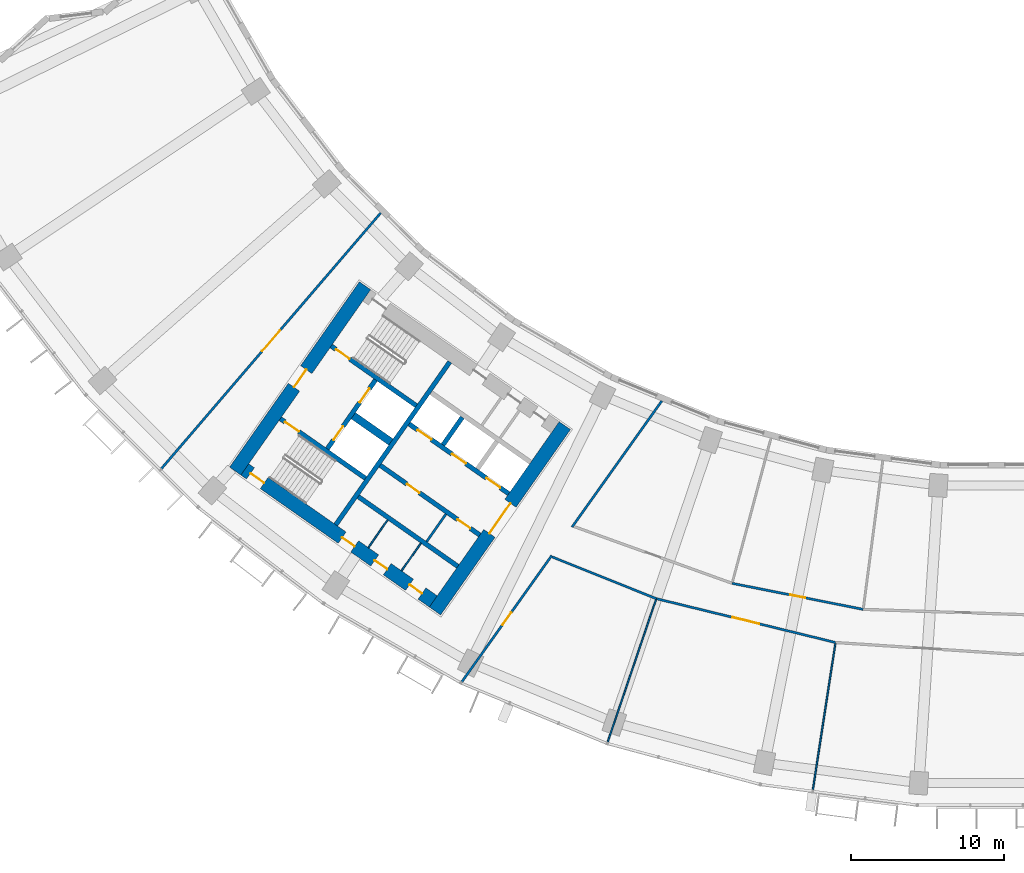
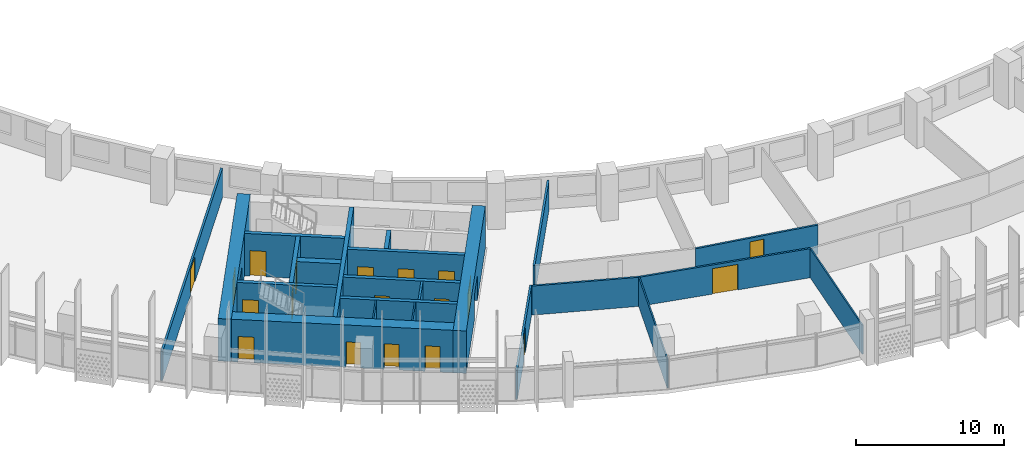
# One storey, part 3 of 30: 23 walls, 19 doors, 19 openings.
"""IFC4 building model written with IfcOpenShell, lengths in metres."""

from ifc_helpers import new_model, si_unit, direction, frame, frame_2d, origin, place, context, subcontext, project, spatial, rectangle, extrude, material, layer, layer_set, type_object, element, fill, save


model = new_model("IFC4")

# Units and contexts
model_context = context("Model", 3, precision=1e-05, world=origin(), true_north=direction((0.0, 1.0)))
body_context = subcontext(model_context, "Body", "Model", "MODEL_VIEW")
ifc_project = project(units=[si_unit("LENGTHUNIT", "METRE"), si_unit("AREAUNIT", "SQUARE_METRE"), si_unit("VOLUMEUNIT", "CUBIC_METRE"), si_unit("PLANEANGLEUNIT", "RADIAN"), si_unit("MASSUNIT", "GRAM", prefix="KILO")], contexts=[model_context])

# Site, building, storey
site_placement = place(None, origin())
site = spatial("IfcSite", under=ifc_project, at=site_placement, CompositionType="ELEMENT")
building_placement = place(site_placement, origin())
building = spatial("IfcBuilding", under=site, at=building_placement, Name="Qamariyya Broadcast Tower", CompositionType="ELEMENT")
storey_placement = place(building_placement, frame((0.0, 0.0, 102.5)))
storey = spatial("IfcBuildingStorey", under=building, at=storey_placement, Name="L22", CompositionType="ELEMENT", Elevation=102.5)

# Wall, opening, door
ifc_material_1 = material(Name="Concrete C70/85", Category="concrete")
ifc_layer_1 = layer(ifc_material_1, 0.89990234375)
ifc_layer_set_1 = layer_set([ifc_layer_1], Name="Core wall 900 mm Concrete C70/85")
wall_type_1 = type_object("IfcWallType", Name="Core wall 900 mm Concrete C70/85", PredefinedType="SHEAR", material=ifc_layer_set_1)
wall_1_placement = place(storey_placement, frame((-36.716796875, -66.3369140625, 0.0), z_axis=(0.0, 0.0, 1.0), x_axis=(0.573577477574, 0.819151315216, 0.0)))
wall_1 = element("IfcWall", 1, at=wall_1_placement, inside=storey, type_object=wall_type_1, Name="k-W-L22-WA", PredefinedType="SHEAR", context=body_context, shape_type="SweptSolid", body=[
    extrude(rectangle(XDim=14.800048828125, YDim=0.89990234375, at=frame_2d((7.39990234375, 0.0))), origin(), (0.0, 0.0, 1.0), 3.5),
])
opening_1_placement = place(wall_1_placement, frame((6.199951171875, 0.0, 0.0)))
opening_1 = element("IfcOpeningElement", 2, at=opening_1_placement, cuts=wall_1, Name="Opening KD3-W1", PredefinedType="OPENING", context=body_context, shape_type="SweptSolid", body=[
    extrude(rectangle(XDim=2.39990234375, YDim=2.10009765625, at=frame_2d((1.199951171875, 1.050048828125))), frame((0.0, 0.4599609375, 0.0), z_axis=(0.0, -1.0, 0.0), x_axis=(1.0, 0.0, 0.0)), (0.0, 0.0, 1.0), 0.919921875),
])
ifc_material_2 = material(Name="Steel fire-resisting door leaf", Category="steel")
door_type_1 = type_object("IfcDoorType", Name="Lift lobby door KD3", OperationType="DOUBLE_DOOR_SINGLE_SWING", PredefinedType="DOOR", material=ifc_material_2)
door_1_placement = place(opening_1_placement, origin())
door_1 = element("IfcDoor", 3, at=door_1_placement, inside=storey, type_object=door_type_1, Name="k-W-L22-WA-D1", OperationType="DOUBLE_DOOR_SINGLE_SWING", OverallHeight=2.10009765625, OverallWidth=2.39990234375, PredefinedType="DOOR", context=body_context, shape_type="SweptSolid", body=[
    extrude(rectangle(XDim=2.39990234375, YDim=2.10009765625, at=frame_2d((1.199951171875, 1.050048828125))), frame((0.0, 0.02490234375, 0.0), z_axis=(0.0, -1.0, 0.0), x_axis=(1.0, 0.0, 0.0)), (0.0, 0.0, 1.0), 0.050048828125),
])
fill(opening_1, door_1)

wall_2_placement = place(storey_placement, frame((-49.778564453125, -57.191162109375, 0.0), z_axis=(0.0, 0.0, 1.0), x_axis=(0.573577477574, 0.819151315216, 0.0)))
wall_2 = element("IfcWall", 4, at=wall_2_placement, inside=storey, type_object=wall_type_1, Name="k-W-L22-WH", PredefinedType="SHEAR", context=body_context, shape_type="SweptSolid", body=[
    extrude(rectangle(XDim=14.800048828125, YDim=0.89990234375, at=frame_2d((7.39990234375, 0.0))), origin(), (0.0, 0.0, 1.0), 3.5),
])
opening_2_placement = place(wall_2_placement, frame((6.699951171875, 0.0, 0.0)))
opening_2 = element("IfcOpeningElement", 5, at=opening_2_placement, cuts=wall_2, Name="Opening KD2-W1", PredefinedType="OPENING", context=body_context, shape_type="SweptSolid", body=[
    extrude(rectangle(XDim=1.39990234375, YDim=2.10009765625, at=frame_2d((0.699951171875, 1.050048828125))), frame((0.0, 0.4599609375, 0.0), z_axis=(0.0, -1.0, 0.0), x_axis=(1.0, 0.0, 0.0)), (0.0, 0.0, 1.0), 0.919921875),
])
door_type_2 = type_object("IfcDoorType", Name="Fire-fighting lobby door KD2", OperationType="DOUBLE_DOOR_SINGLE_SWING", PredefinedType="DOOR", material=ifc_material_2)
door_2_placement = place(opening_2_placement, origin())
door_2 = element("IfcDoor", 6, at=door_2_placement, inside=storey, type_object=door_type_2, Name="k-W-L22-WH-D15", OperationType="DOUBLE_DOOR_SINGLE_SWING", OverallHeight=2.10009765625, OverallWidth=1.39990234375, PredefinedType="DOOR", context=body_context, shape_type="SweptSolid", body=[
    extrude(rectangle(XDim=1.39990234375, YDim=2.10009765625, at=frame_2d((0.699951171875, 1.050048828125))), frame((0.0, 0.02490234375, 0.0), z_axis=(0.0, -1.0, 0.0), x_axis=(1.0, 0.0, 0.0)), (0.0, 0.0, 1.0), 0.050048828125),
])
fill(opening_2, door_2)

# Wall, openings, doors
wall_3_placement = place(storey_placement, frame((-36.827392578125, -65.710205078125, 0.0), z_axis=(0.0, 0.0, 1.0), x_axis=(-0.819153391756, 0.573574511963, 0.0)))
wall_3 = element("IfcWall", 7, at=wall_3_placement, inside=storey, type_object=wall_type_1, Name="k-W-L22-WO", PredefinedType="SHEAR", context=body_context, shape_type="SweptSolid", body=[
    extrude(rectangle(XDim=15.04541015625, YDim=0.89990234375, at=frame_2d((7.522705078125, 0.0))), origin(), (0.0, 0.0, 1.0), 3.5),
])
opening_3_placement = place(wall_3_placement, frame((0.89990234375, 0.0, 0.0)))
opening_3 = element("IfcOpeningElement", 8, at=opening_3_placement, cuts=wall_3, Name="Opening KD4-W2", PredefinedType="OPENING", context=body_context, shape_type="SweptSolid", body=[
    extrude(rectangle(XDim=1.0, YDim=2.10009765625, at=frame_2d((0.5, 1.050048828125))), frame((0.0, 0.4599609375, 0.0), z_axis=(0.0, -1.0, 0.0), x_axis=(1.0, 0.0, 0.0)), (0.0, 0.0, 1.0), 0.919921875),
])
opening_4_placement = place(wall_3_placement, frame((3.675048828125, 0.0, 0.0)))
opening_4 = element("IfcOpeningElement", 9, at=opening_4_placement, cuts=wall_3, Name="Opening KD4-W3", PredefinedType="OPENING", context=body_context, shape_type="SweptSolid", body=[
    extrude(rectangle(XDim=1.0, YDim=2.10009765625, at=frame_2d((0.5, 1.050048828125))), frame((0.0, 0.4599609375, 0.0), z_axis=(0.0, -1.0, 0.0), x_axis=(1.0, 0.0, 0.0)), (0.0, 0.0, 1.0), 0.919921875),
])
opening_5_placement = place(wall_3_placement, frame((6.27490234375, 0.0, 0.0)))
opening_5 = element("IfcOpeningElement", 10, at=opening_5_placement, cuts=wall_3, Name="Opening KD4-W4", PredefinedType="OPENING", context=body_context, shape_type="SweptSolid", body=[
    extrude(rectangle(XDim=1.0, YDim=2.10009765625, at=frame_2d((0.5, 1.050048828125))), frame((0.0, 0.4599609375, 0.0), z_axis=(0.0, -1.0, 0.0), x_axis=(1.0, 0.0, 0.0)), (0.0, 0.0, 1.0), 0.919921875),
])
opening_6_placement = place(wall_3_placement, frame((13.495361328125, 0.0, 0.0)))
opening_6 = element("IfcOpeningElement", 11, at=opening_6_placement, cuts=wall_3, Name="Opening KD1-W3", PredefinedType="OPENING", context=body_context, shape_type="SweptSolid", body=[
    extrude(rectangle(XDim=1.10009765625, YDim=2.10009765625, at=frame_2d((0.550048828125, 1.050048828125))), frame((0.0, 0.4599609375, 0.0), z_axis=(0.0, -1.0, 0.0), x_axis=(1.0, 0.0, 0.0)), (0.0, 0.0, 1.0), 0.919921875),
])
door_type_3 = type_object("IfcDoorType", Name="Riser and plant door KD4", OperationType="SINGLE_SWING_LEFT", PredefinedType="DOOR", material=ifc_material_2)
door_3_placement = place(opening_3_placement, origin())
door_3 = element("IfcDoor", 12, at=door_3_placement, inside=storey, type_object=door_type_3, Name="k-W-L22-WO-D10", OperationType="SINGLE_SWING_LEFT", OverallHeight=2.10009765625, OverallWidth=1.0, PredefinedType="DOOR", context=body_context, shape_type="SweptSolid", body=[
    extrude(rectangle(XDim=1.0, YDim=2.10009765625, at=frame_2d((0.5, 1.050048828125))), frame((0.0, 0.02490234375, 0.0), z_axis=(0.0, -1.0, 0.0), x_axis=(1.0, 0.0, 0.0)), (0.0, 0.0, 1.0), 0.050048828125),
])
fill(opening_3, door_3)
door_4_placement = place(opening_4_placement, origin())
door_4 = element("IfcDoor", 13, at=door_4_placement, inside=storey, type_object=door_type_3, Name="k-W-L22-WO-D11", OperationType="SINGLE_SWING_RIGHT", OverallHeight=2.10009765625, OverallWidth=1.0, PredefinedType="DOOR", context=body_context, shape_type="SweptSolid", body=[
    extrude(rectangle(XDim=1.0, YDim=2.10009765625, at=frame_2d((0.5, 1.050048828125))), frame((0.0, 0.02490234375, 0.0), z_axis=(0.0, -1.0, 0.0), x_axis=(1.0, 0.0, 0.0)), (0.0, 0.0, 1.0), 0.050048828125),
])
fill(opening_4, door_4)
door_5_placement = place(opening_5_placement, origin())
door_5 = element("IfcDoor", 14, at=door_5_placement, inside=storey, type_object=door_type_3, Name="k-W-L22-WO-D12", OperationType="SINGLE_SWING_LEFT", OverallHeight=2.10009765625, OverallWidth=1.0, PredefinedType="DOOR", context=body_context, shape_type="SweptSolid", body=[
    extrude(rectangle(XDim=1.0, YDim=2.10009765625, at=frame_2d((0.5, 1.050048828125))), frame((0.0, 0.02490234375, 0.0), z_axis=(0.0, -1.0, 0.0), x_axis=(1.0, 0.0, 0.0)), (0.0, 0.0, 1.0), 0.050048828125),
])
fill(opening_5, door_5)
door_type_4 = type_object("IfcDoorType", Name="Stair door KD1", OperationType="SINGLE_SWING_LEFT", PredefinedType="DOOR", material=ifc_material_2)
door_6_placement = place(opening_6_placement, origin())
door_6 = element("IfcDoor", 15, at=door_6_placement, inside=storey, type_object=door_type_4, Name="k-W-L22-WO-D18", OperationType="SINGLE_SWING_LEFT", OverallHeight=2.10009765625, OverallWidth=1.10009765625, PredefinedType="DOOR", context=body_context, shape_type="SweptSolid", body=[
    extrude(rectangle(XDim=1.10009765625, YDim=2.10009765625, at=frame_2d((0.550048828125, 1.050048828125))), frame((0.0, 0.02490234375, 0.0), z_axis=(0.0, -1.0, 0.0), x_axis=(1.0, 0.0, 0.0)), (0.0, 0.0, 1.0), 0.050048828125),
])
fill(opening_6, door_6)

# Wall, opening, door
ifc_material_3 = material(Name="Gypsum board partition")
ifc_layer_2 = layer(ifc_material_3, 0.14990234375)
ifc_layer_set_2 = layer_set([ifc_layer_2], Name="Corridor partition 150 EI 60")
wall_type_2 = type_object("IfcWallType", Name="Corridor partition 150 EI 60", PredefinedType="PARTITIONING", material=ifc_layer_set_2)
wall_4_placement = place(storey_placement, frame((-54.600830078125, -57.024169921875, 0.0), z_axis=(0.0, 0.0, 1.0), x_axis=(0.650987681244, 0.759088294514, 0.0)))
wall_4 = element("IfcWall", 16, at=wall_4_placement, inside=storey, type_object=wall_type_2, Name="Partition L22-001", PredefinedType="PARTITIONING", context=body_context, shape_type="SweptSolid", body=[
    extrude(rectangle(XDim=22.017822265625, YDim=0.14990234375, at=frame_2d((11.0087890625, 0.0))), origin(), (0.0, 0.0, 1.0), 2.39990234375),
])
opening_7_placement = place(wall_4_placement, frame((10.10888671875, 0.0, 0.0)))
opening_7 = element("IfcOpeningElement", 17, at=opening_7_placement, cuts=wall_4, Name="Opening L22-D11", PredefinedType="OPENING", context=body_context, shape_type="SweptSolid", body=[
    extrude(rectangle(XDim=1.800048828125, YDim=2.10009765625, at=frame_2d((0.89990234375, 1.050048828125))), frame((0.0, 0.0849609375, 0.0), z_axis=(0.0, -1.0, 0.0), x_axis=(1.0, 0.0, 0.0)), (0.0, 0.0, 1.0), 0.169921875),
])
ifc_material_4 = material(Name="Timber fire door leaf", Category="wood")
door_type_5 = type_object("IfcDoorType", Name="Double fire door 1800 x 2100 FD60", OperationType="NOTDEFINED", PredefinedType="DOOR", material=ifc_material_4)
door_7_placement = place(opening_7_placement, origin())
door_7 = element("IfcDoor", 18, at=door_7_placement, inside=storey, type_object=door_type_5, Name="Door L22-D11", OperationType="DOUBLE_DOOR_SINGLE_SWING", OverallHeight=2.10009765625, OverallWidth=1.800048828125, PredefinedType="DOOR", context=body_context, shape_type="SweptSolid", body=[
    extrude(rectangle(XDim=1.800048828125, YDim=2.10009765625, at=frame_2d((0.89990234375, 1.050048828125))), frame((0.0, 0.02490234375, 0.0), z_axis=(0.0, -1.0, 0.0), x_axis=(1.0, 0.0, 0.0)), (0.0, 0.0, 1.0), 0.050048828125),
])
fill(opening_7, door_7)

wall_5_placement = place(storey_placement, frame((-29.083984375, -62.710205078125, 0.0), z_axis=(0.0, 0.0, 1.0), x_axis=(-0.580031092611, -0.814594335608, 0.0)))
wall_5 = element("IfcWall", 19, at=wall_5_placement, inside=storey, type_object=wall_type_2, Name="Partition L22-002", PredefinedType="PARTITIONING", context=body_context, shape_type="SweptSolid", body=[
    extrude(rectangle(XDim=10.126220703125, YDim=0.14990234375, at=frame_2d((5.06298828125, 0.0))), origin(), (0.0, 0.0, 1.0), 2.39990234375),
])
opening_8_placement = place(wall_5_placement, frame((4.563232421875, 0.0, 0.0)))
opening_8 = element("IfcOpeningElement", 20, at=opening_8_placement, cuts=wall_5, Name="Opening L22-D01", PredefinedType="OPENING", context=body_context, shape_type="SweptSolid", body=[
    extrude(rectangle(XDim=1.0, YDim=2.10009765625, at=frame_2d((0.5, 1.050048828125))), frame((0.0, 0.0849609375, 0.0), z_axis=(0.0, -1.0, 0.0), x_axis=(1.0, 0.0, 0.0)), (0.0, 0.0, 1.0), 0.169921875),
])
door_type_6 = type_object("IfcDoorType", Name="Fire door 1000 x 2100 FD60", OperationType="NOTDEFINED", PredefinedType="DOOR", material=ifc_material_4)
door_8_placement = place(opening_8_placement, origin())
door_8 = element("IfcDoor", 21, at=door_8_placement, inside=storey, type_object=door_type_6, Name="Door L22-D01", OperationType="SINGLE_SWING_RIGHT", OverallHeight=2.10009765625, OverallWidth=1.0, PredefinedType="DOOR", context=body_context, shape_type="SweptSolid", body=[
    extrude(rectangle(XDim=1.0, YDim=2.10009765625, at=frame_2d((0.5, 1.050048828125))), frame((0.0, 0.02490234375, 0.0), z_axis=(0.0, -1.0, 0.0), x_axis=(1.0, 0.0, 0.0)), (0.0, 0.0, 1.0), 0.050048828125),
])
fill(opening_8, door_8)

# Wall
wall_6_placement = place(storey_placement, frame((-29.057861328125, -62.799072265625, 0.0), z_axis=(0.0, 0.0, 1.0), x_axis=(0.92834358791, -0.371723261025, 0.0)))
element("IfcWall", 22, at=wall_6_placement, inside=storey, type_object=wall_type_2, Name="Partition L22-003", PredefinedType="PARTITIONING", context=body_context, shape_type="SweptSolid", body=[
    extrude(rectangle(XDim=7.340087890625, YDim=0.14990234375, at=frame_2d((3.669921875, 0.0))), origin(), (0.0, 0.0, 1.0), 2.39990234375),
])

# Wall, opening, door
wall_7_placement = place(storey_placement, frame((-10.52880859375, -68.394287109375, 0.0), z_axis=(0.0, 0.0, 1.0), x_axis=(-0.971340247552, 0.23769333917, 0.0)))
wall_7 = element("IfcWall", 23, at=wall_7_placement, inside=storey, type_object=wall_type_2, Name="Partition L22-006", PredefinedType="PARTITIONING", context=body_context, shape_type="SweptSolid", body=[
    extrude(rectangle(XDim=12.060546875, YDim=0.14990234375, at=frame_2d((6.0302734375, 0.0))), origin(), (0.0, 0.0, 1.0), 2.39990234375),
])
opening_9_placement = place(wall_7_placement, frame((5.130126953125, 0.0, 0.0)))
opening_9 = element("IfcOpeningElement", 24, at=opening_9_placement, cuts=wall_7, Name="Opening L22-D02", PredefinedType="OPENING", context=body_context, shape_type="SweptSolid", body=[
    extrude(rectangle(XDim=1.800048828125, YDim=2.10009765625, at=frame_2d((0.89990234375, 1.050048828125))), frame((0.0, 0.0849609375, 0.0), z_axis=(0.0, -1.0, 0.0), x_axis=(1.0, 0.0, 0.0)), (0.0, 0.0, 1.0), 0.169921875),
])
door_9_placement = place(opening_9_placement, origin())
door_9 = element("IfcDoor", 25, at=door_9_placement, inside=storey, type_object=door_type_5, Name="Door L22-D02", OperationType="DOUBLE_DOOR_SINGLE_SWING", OverallHeight=2.10009765625, OverallWidth=1.800048828125, PredefinedType="DOOR", context=body_context, shape_type="SweptSolid", body=[
    extrude(rectangle(XDim=1.800048828125, YDim=2.10009765625, at=frame_2d((0.89990234375, 1.050048828125))), frame((0.0, 0.02490234375, 0.0), z_axis=(0.0, -1.0, 0.0), x_axis=(1.0, 0.0, 0.0)), (0.0, 0.0, 1.0), 0.050048828125),
])
fill(opening_9, door_9)

# Wall
wall_8_placement = place(storey_placement, frame((-21.8837890625, -52.59765625, 0.0), z_axis=(0.0, 0.0, 1.0), x_axis=(-0.580016763963, -0.814604538118, 0.0)))
element("IfcWall", 26, at=wall_8_placement, inside=storey, type_object=wall_type_2, Name="Partition L22-007", PredefinedType="PARTITIONING", context=body_context, shape_type="SweptSolid", body=[
    extrude(rectangle(XDim=10.12109375, YDim=0.14990234375, at=frame_2d((5.060546875, 0.0))), origin(), (0.0, 0.0, 1.0), 2.39990234375),
])

# Wall, opening, door
wall_9_placement = place(storey_placement, frame((-17.2890625, -64.52392578125, 0.0), z_axis=(0.0, 0.0, 1.0), x_axis=(0.980786466832, -0.195084357342, 0.0)))
wall_9 = element("IfcWall", 27, at=wall_9_placement, inside=storey, type_object=wall_type_2, Name="Partition L22-008", PredefinedType="PARTITIONING", context=body_context, shape_type="SweptSolid", body=[
    extrude(rectangle(XDim=8.73779296875, YDim=0.14990234375, at=frame_2d((4.368896484375, 0.0))), origin(), (0.0, 0.0, 1.0), 2.39990234375),
])
opening_10_placement = place(wall_9_placement, frame((3.868896484375, 0.0, 0.0)))
opening_10 = element("IfcOpeningElement", 28, at=opening_10_placement, cuts=wall_9, Name="Opening L22-D06", PredefinedType="OPENING", context=body_context, shape_type="SweptSolid", body=[
    extrude(rectangle(XDim=1.0, YDim=2.10009765625, at=frame_2d((0.5, 1.050048828125))), frame((0.0, 0.0849609375, 0.0), z_axis=(0.0, -1.0, 0.0), x_axis=(1.0, 0.0, 0.0)), (0.0, 0.0, 1.0), 0.169921875),
])
door_10_placement = place(opening_10_placement, origin())
door_10 = element("IfcDoor", 29, at=door_10_placement, inside=storey, type_object=door_type_6, Name="Door L22-D06", OperationType="SINGLE_SWING_RIGHT", OverallHeight=2.10009765625, OverallWidth=1.0, PredefinedType="DOOR", context=body_context, shape_type="SweptSolid", body=[
    extrude(rectangle(XDim=1.0, YDim=2.10009765625, at=frame_2d((0.5, 1.050048828125))), frame((0.0, 0.02490234375, 0.0), z_axis=(0.0, -1.0, 0.0), x_axis=(1.0, 0.0, 0.0)), (0.0, 0.0, 1.0), 0.050048828125),
])
fill(opening_10, door_10)

# Walls
ifc_material_5 = material(Name="Concrete C60/75", Category="concrete")
ifc_layer_3 = layer(ifc_material_5, 0.5)
ifc_layer_set_3 = layer_set([ifc_layer_3], Name="Fire-fighting lobby divider wall 500 mm Concrete C60/75")
wall_type_3 = type_object("IfcWallType", Name="Fire-fighting lobby divider wall 500 mm Concrete C60/75", PredefinedType="SOLIDWALL", material=ifc_layer_set_3)
wall_10_placement = place(storey_placement, frame((-39.59912109375, -55.28515625, 0.0), z_axis=(0.0, 0.0, 1.0), x_axis=(-0.819136323161, 0.573598887793, 0.0)))
element("IfcWall", 30, at=wall_10_placement, inside=storey, type_object=wall_type_3, Name="k-W-L22-FD", PredefinedType="SOLIDWALL", context=body_context, shape_type="SweptSolid", body=[
    extrude(rectangle(XDim=2.999755859375, YDim=0.5, at=frame_2d((1.5, 0.0))), origin(), (0.0, 0.0, 1.0), 3.5),
])
ifc_material_6 = material(Name="Gypsum board partition on steel studs", Category="steel")
ifc_layer_4 = layer(ifc_material_6, 0.14990234375)
ifc_layer_set_4 = layer_set([ifc_layer_4], Name="Gypsum board partition 150 mm")
wall_type_4 = type_object("IfcWallType", Name="Gypsum board partition 150 mm", PredefinedType="PARTITIONING", material=ifc_layer_set_4)
wall_11_placement = place(storey_placement, frame((-36.003173828125, -60.000244140625, 0.0), z_axis=(0.0, 0.0, 1.0), x_axis=(-0.573581496053, -0.819148501424, 0.0)))
element("IfcWall", 31, at=wall_11_placement, inside=storey, type_object=wall_type_4, Name="k-W-L22-SC260", PredefinedType="PARTITIONING", context=body_context, shape_type="SweptSolid", body=[
    extrude(rectangle(XDim=2.2001953125, YDim=0.14990234375, at=frame_2d((1.10009765625, 0.0))), origin(), (0.0, 0.0, 1.0), 3.5),
])
ifc_layer_5 = layer(ifc_material_5, 0.300048828125)
ifc_layer_set_5 = layer_set([ifc_layer_5], Name="Lift shaft wall 300 mm Concrete C60/75")
wall_type_5 = type_object("IfcWallType", Name="Lift shaft wall 300 mm Concrete C60/75", PredefinedType="SOLIDWALL", material=ifc_layer_set_5)
wall_12_placement = place(storey_placement, frame((-43.204345703125, -60.69580078125, 0.0), z_axis=(0.0, 0.0, 1.0), x_axis=(0.573571992966, 0.819155155563, 0.0)))
element("IfcWall", 32, at=wall_12_placement, inside=storey, type_object=wall_type_5, Name="k-W-L22-WL", PredefinedType="SOLIDWALL", context=body_context, shape_type="SweptSolid", body=[
    extrude(rectangle(XDim=13.000244140625, YDim=0.300048828125, at=frame_2d((6.5, 0.0))), origin(), (0.0, 0.0, 1.0), 3.5),
])

# Wall, openings, doors
wall_13_placement = place(storey_placement, frame((-31.89453125, -58.66552734375, 0.0), z_axis=(0.0, 0.0, 1.0), x_axis=(-0.819166993208, 0.573555086491, 0.0)))
wall_13 = element("IfcWall", 33, at=wall_13_placement, inside=storey, type_object=wall_type_5, Name="k-W-L22-NF0", PredefinedType="SOLIDWALL", context=body_context, shape_type="SweptSolid", body=[
    extrude(rectangle(XDim=7.9501953125, YDim=0.300048828125, at=frame_2d((3.97509765625, 0.0))), origin(), (0.0, 0.0, 1.0), 3.5),
])
opening_11_placement = place(wall_13_placement, frame((0.675048828125, 0.0, 0.0)))
opening_11 = element("IfcOpeningElement", 34, at=opening_11_placement, cuts=wall_13, Name="Opening LD", PredefinedType="OPENING", context=body_context, shape_type="SweptSolid", body=[
    extrude(rectangle(XDim=1.10009765625, YDim=2.10009765625, at=frame_2d((0.550048828125, 1.050048828125))), frame((0.0, 0.159912109375, 0.0), z_axis=(0.0, -1.0, 0.0), x_axis=(1.0, 0.0, 0.0)), (0.0, 0.0, 1.0), 0.320068359375),
])
opening_12_placement = place(wall_13_placement, frame((3.425048828125, 0.0, 0.0)))
opening_12 = element("IfcOpeningElement", 35, at=opening_12_placement, cuts=wall_13, Name="Opening LD", PredefinedType="OPENING", context=body_context, shape_type="SweptSolid", body=[
    extrude(rectangle(XDim=1.10009765625, YDim=2.10009765625, at=frame_2d((0.550048828125, 1.050048828125))), frame((0.0, 0.159912109375, 0.0), z_axis=(0.0, -1.0, 0.0), x_axis=(1.0, 0.0, 0.0)), (0.0, 0.0, 1.0), 0.320068359375),
])
opening_13_placement = place(wall_13_placement, frame((6.175048828125, 0.0, 0.0)))
opening_13 = element("IfcOpeningElement", 36, at=opening_13_placement, cuts=wall_13, Name="Opening LD", PredefinedType="OPENING", context=body_context, shape_type="SweptSolid", body=[
    extrude(rectangle(XDim=1.10009765625, YDim=2.10009765625, at=frame_2d((0.550048828125, 1.050048828125))), frame((0.0, 0.159912109375, 0.0), z_axis=(0.0, -1.0, 0.0), x_axis=(1.0, 0.0, 0.0)), (0.0, 0.0, 1.0), 0.320068359375),
])
door_type_7 = type_object("IfcDoorType", Name="Lift landing door LD", OperationType="DOUBLE_DOOR_SLIDING", PredefinedType="DOOR", material=ifc_material_2)
door_11_placement = place(opening_11_placement, origin())
door_11 = element("IfcDoor", 37, at=door_11_placement, inside=storey, type_object=door_type_7, Name="k-W-L22-NF0-D2", OperationType="DOUBLE_DOOR_SLIDING", OverallHeight=2.10009765625, OverallWidth=1.10009765625, PredefinedType="DOOR", context=body_context, shape_type="SweptSolid", body=[
    extrude(rectangle(XDim=1.10009765625, YDim=2.10009765625, at=frame_2d((0.550048828125, 1.050048828125))), frame((0.0, 0.02490234375, 0.0), z_axis=(0.0, -1.0, 0.0), x_axis=(1.0, 0.0, 0.0)), (0.0, 0.0, 1.0), 0.050048828125),
])
fill(opening_11, door_11)
door_12_placement = place(opening_12_placement, origin())
door_12 = element("IfcDoor", 38, at=door_12_placement, inside=storey, type_object=door_type_7, Name="k-W-L22-NF0-D3", OperationType="DOUBLE_DOOR_SLIDING", OverallHeight=2.10009765625, OverallWidth=1.10009765625, PredefinedType="DOOR", context=body_context, shape_type="SweptSolid", body=[
    extrude(rectangle(XDim=1.10009765625, YDim=2.10009765625, at=frame_2d((0.550048828125, 1.050048828125))), frame((0.0, 0.02490234375, 0.0), z_axis=(0.0, -1.0, 0.0), x_axis=(1.0, 0.0, 0.0)), (0.0, 0.0, 1.0), 0.050048828125),
])
fill(opening_12, door_12)
door_13_placement = place(opening_13_placement, origin())
door_13 = element("IfcDoor", 39, at=door_13_placement, inside=storey, type_object=door_type_7, Name="k-W-L22-NF0-D4", OperationType="DOUBLE_DOOR_SLIDING", OverallHeight=2.10009765625, OverallWidth=1.10009765625, PredefinedType="DOOR", context=body_context, shape_type="SweptSolid", body=[
    extrude(rectangle(XDim=1.10009765625, YDim=2.10009765625, at=frame_2d((0.550048828125, 1.050048828125))), frame((0.0, 0.02490234375, 0.0), z_axis=(0.0, -1.0, 0.0), x_axis=(1.0, 0.0, 0.0)), (0.0, 0.0, 1.0), 0.050048828125),
])
fill(opening_13, door_13)

# Wall
wall_14_placement = place(storey_placement, frame((-36.19091796875, -55.47412109375, 0.0), z_axis=(0.0, 0.0, 1.0), x_axis=(0.573507030513, 0.819200638399, 0.0)))
element("IfcWall", 40, at=wall_14_placement, inside=storey, type_object=wall_type_5, Name="k-W-L22-ND1", PredefinedType="SOLIDWALL", context=body_context, shape_type="SweptSolid", body=[
    extrude(rectangle(XDim=2.199951171875, YDim=0.300048828125, at=frame_2d((1.10009765625, 0.0))), origin(), (0.0, 0.0, 1.0), 3.5),
])

# Wall, openings, doors
wall_15_placement = place(storey_placement, frame((-33.787353515625, -61.368896484375, 0.0), z_axis=(0.0, 0.0, 1.0), x_axis=(-0.819152564888, 0.573575692858, 0.0)))
wall_15 = element("IfcWall", 41, at=wall_15_placement, inside=storey, type_object=wall_type_5, Name="k-W-L22-SF0", PredefinedType="SOLIDWALL", context=body_context, shape_type="SweptSolid", body=[
    extrude(rectangle(XDim=7.9501953125, YDim=0.300048828125, at=frame_2d((3.97509765625, 0.0))), origin(), (0.0, 0.0, 1.0), 3.5),
])
opening_14_placement = place(wall_15_placement, frame((0.762451171875, 0.0, 0.0)))
opening_14 = element("IfcOpeningElement", 42, at=opening_14_placement, cuts=wall_15, Name="Opening KD4-W1", PredefinedType="OPENING", context=body_context, shape_type="SweptSolid", body=[
    extrude(rectangle(XDim=1.0, YDim=2.10009765625, at=frame_2d((0.5, 1.050048828125))), frame((0.0, 0.159912109375, 0.0), z_axis=(0.0, -1.0, 0.0), x_axis=(1.0, 0.0, 0.0)), (0.0, 0.0, 1.0), 0.320068359375),
])
opening_15_placement = place(wall_15_placement, frame((4.8125, 0.0, 0.0)))
opening_15 = element("IfcOpeningElement", 43, at=opening_15_placement, cuts=wall_15, Name="Opening KD6-W1", PredefinedType="OPENING", context=body_context, shape_type="SweptSolid", body=[
    extrude(rectangle(XDim=1.0, YDim=2.10009765625, at=frame_2d((0.5, 1.050048828125))), frame((0.0, 0.159912109375, 0.0), z_axis=(0.0, -1.0, 0.0), x_axis=(1.0, 0.0, 0.0)), (0.0, 0.0, 1.0), 0.320068359375),
])
door_type_8 = type_object("IfcDoorType", Name="Core room door KD6", OperationType="SINGLE_SWING_LEFT", PredefinedType="DOOR", material=ifc_material_2)
door_14_placement = place(opening_15_placement, origin())
door_14 = element("IfcDoor", 44, at=door_14_placement, inside=storey, type_object=door_type_8, Name="k-W-L22-SF0-D6", OperationType="SINGLE_SWING_LEFT", OverallHeight=2.10009765625, OverallWidth=1.0, PredefinedType="DOOR", context=body_context, shape_type="SweptSolid", body=[
    extrude(rectangle(XDim=1.0, YDim=2.10009765625, at=frame_2d((0.5, 1.050048828125))), frame((0.0, 0.02490234375, 0.0), z_axis=(0.0, -1.0, 0.0), x_axis=(1.0, 0.0, 0.0)), (0.0, 0.0, 1.0), 0.050048828125),
])
fill(opening_15, door_14)
door_15_placement = place(opening_14_placement, origin())
door_15 = element("IfcDoor", 45, at=door_15_placement, inside=storey, type_object=door_type_3, Name="k-W-L22-SF0-D5", OperationType="SINGLE_SWING_RIGHT", OverallHeight=2.10009765625, OverallWidth=1.0, PredefinedType="DOOR", context=body_context, shape_type="SweptSolid", body=[
    extrude(rectangle(XDim=1.0, YDim=2.10009765625, at=frame_2d((0.5, 1.050048828125))), frame((0.0, 0.02490234375, 0.0), z_axis=(0.0, -1.0, 0.0), x_axis=(1.0, 0.0, 0.0)), (0.0, 0.0, 1.0), 0.050048828125),
])
fill(opening_14, door_15)

# Wall
wall_16_placement = place(storey_placement, frame((-35.22119140625, -63.41650390625, 0.0), z_axis=(0.0, 0.0, 1.0), x_axis=(-0.819166993208, 0.573555086491, 0.0)))
element("IfcWall", 46, at=wall_16_placement, inside=storey, type_object=wall_type_5, Name="k-W-L22-SB0", PredefinedType="SOLIDWALL", context=body_context, shape_type="SweptSolid", body=[
    extrude(rectangle(XDim=7.9501953125, YDim=0.300048828125, at=frame_2d((3.97509765625, 0.0))), origin(), (0.0, 0.0, 1.0), 3.5),
])

# Wall, opening, door
wall_17_placement = place(storey_placement, frame((-37.935546875, -52.90966796875, 0.0), z_axis=(0.0, 0.0, 1.0), x_axis=(-0.819147518138, 0.57358290031, 0.0)))
wall_17 = element("IfcWall", 47, at=wall_17_placement, inside=storey, type_object=wall_type_5, Name="k-W-L22-NW", PredefinedType="SOLIDWALL", context=body_context, shape_type="SweptSolid", body=[
    extrude(rectangle(XDim=6.79541015625, YDim=0.300048828125, at=frame_2d((3.397705078125, 0.0))), origin(), (0.0, 0.0, 1.0), 3.5),
])
opening_16_placement = place(wall_17_placement, frame((5.3203125, 0.0, 0.0)))
opening_16 = element("IfcOpeningElement", 48, at=opening_16_placement, cuts=wall_17, Name="Opening KD1-W2", PredefinedType="OPENING", context=body_context, shape_type="SweptSolid", body=[
    extrude(rectangle(XDim=1.10009765625, YDim=2.10009765625, at=frame_2d((0.550048828125, 1.050048828125))), frame((0.0, 0.159912109375, 0.0), z_axis=(0.0, -1.0, 0.0), x_axis=(1.0, 0.0, 0.0)), (0.0, 0.0, 1.0), 0.320068359375),
])
door_16_placement = place(opening_16_placement, origin())
door_16 = element("IfcDoor", 49, at=door_16_placement, inside=storey, type_object=door_type_4, Name="k-W-L22-NW-D17", OperationType="SINGLE_SWING_RIGHT", OverallHeight=2.10009765625, OverallWidth=1.10009765625, PredefinedType="DOOR", context=body_context, shape_type="SweptSolid", body=[
    extrude(rectangle(XDim=1.10009765625, YDim=2.10009765625, at=frame_2d((0.550048828125, 1.050048828125))), frame((0.0, 0.02490234375, 0.0), z_axis=(0.0, -1.0, 0.0), x_axis=(1.0, 0.0, 0.0)), (0.0, 0.0, 1.0), 0.050048828125),
])
fill(opening_16, door_16)

wall_18_placement = place(storey_placement, frame((-41.262451171875, -57.66064453125, 0.0), z_axis=(0.0, 0.0, 1.0), x_axis=(-0.819164398642, 0.573558792102, 0.0)))
wall_18 = element("IfcWall", 50, at=wall_18_placement, inside=storey, type_object=wall_type_5, Name="k-W-L22-SW", PredefinedType="SOLIDWALL", context=body_context, shape_type="SweptSolid", body=[
    extrude(rectangle(XDim=6.795166015625, YDim=0.300048828125, at=frame_2d((3.3974609375, 0.0))), origin(), (0.0, 0.0, 1.0), 3.5),
])
opening_17_placement = place(wall_18_placement, frame((5.3203125, 0.0, 0.0)))
opening_17 = element("IfcOpeningElement", 51, at=opening_17_placement, cuts=wall_18, Name="Opening KD1-W4", PredefinedType="OPENING", context=body_context, shape_type="SweptSolid", body=[
    extrude(rectangle(XDim=1.10009765625, YDim=2.10009765625, at=frame_2d((0.550048828125, 1.050048828125))), frame((0.0, 0.159912109375, 0.0), z_axis=(0.0, -1.0, 0.0), x_axis=(1.0, 0.0, 0.0)), (0.0, 0.0, 1.0), 0.320068359375),
])
door_17_placement = place(opening_17_placement, origin())
door_17 = element("IfcDoor", 52, at=door_17_placement, inside=storey, type_object=door_type_4, Name="k-W-L22-SW-D19", OperationType="SINGLE_SWING_RIGHT", OverallHeight=2.10009765625, OverallWidth=1.10009765625, PredefinedType="DOOR", context=body_context, shape_type="SweptSolid", body=[
    extrude(rectangle(XDim=1.10009765625, YDim=2.10009765625, at=frame_2d((0.550048828125, 1.050048828125))), frame((0.0, 0.02490234375, 0.0), z_axis=(0.0, -1.0, 0.0), x_axis=(1.0, 0.0, 0.0)), (0.0, 0.0, 1.0), 0.050048828125),
])
fill(opening_17, door_17)

# Wall, openings, doors
wall_19_placement = place(storey_placement, frame((-43.756591796875, -55.731201171875, 0.0), z_axis=(0.0, 0.0, 1.0), x_axis=(0.573536818435, 0.819179783625, 0.0)))
wall_19 = element("IfcWall", 53, at=wall_19_placement, inside=storey, type_object=wall_type_5, Name="k-W-L22-FF", PredefinedType="SOLIDWALL", context=body_context, shape_type="SweptSolid", body=[
    extrude(rectangle(XDim=5.500244140625, YDim=0.300048828125, at=frame_2d((2.75, 0.0))), origin(), (0.0, 0.0, 1.0), 3.5),
])
opening_18_placement = place(wall_19_placement, frame((0.699951171875, 0.0, 0.0)))
opening_18 = element("IfcOpeningElement", 54, at=opening_18_placement, cuts=wall_19, Name="Opening LD", PredefinedType="OPENING", context=body_context, shape_type="SweptSolid", body=[
    extrude(rectangle(XDim=1.10009765625, YDim=2.10009765625, at=frame_2d((0.550048828125, 1.050048828125))), frame((0.0, 0.159912109375, 0.0), z_axis=(0.0, -1.0, 0.0), x_axis=(1.0, 0.0, 0.0)), (0.0, 0.0, 1.0), 0.320068359375),
])
opening_19_placement = place(wall_19_placement, frame((3.699951171875, 0.0, 0.0)))
opening_19 = element("IfcOpeningElement", 55, at=opening_19_placement, cuts=wall_19, Name="Opening LD", PredefinedType="OPENING", context=body_context, shape_type="SweptSolid", body=[
    extrude(rectangle(XDim=1.10009765625, YDim=2.10009765625, at=frame_2d((0.550048828125, 1.050048828125))), frame((0.0, 0.159912109375, 0.0), z_axis=(0.0, -1.0, 0.0), x_axis=(1.0, 0.0, 0.0)), (0.0, 0.0, 1.0), 0.320068359375),
])
door_18_placement = place(opening_18_placement, origin())
door_18 = element("IfcDoor", 56, at=door_18_placement, inside=storey, type_object=door_type_7, Name="k-W-L22-FF-D13", OperationType="DOUBLE_DOOR_SLIDING", OverallHeight=2.10009765625, OverallWidth=1.10009765625, PredefinedType="DOOR", context=body_context, shape_type="SweptSolid", body=[
    extrude(rectangle(XDim=1.10009765625, YDim=2.10009765625, at=frame_2d((0.550048828125, 1.050048828125))), frame((0.0, 0.02490234375, 0.0), z_axis=(0.0, -1.0, 0.0), x_axis=(1.0, 0.0, 0.0)), (0.0, 0.0, 1.0), 0.050048828125),
])
fill(opening_18, door_18)
door_19_placement = place(opening_19_placement, origin())
door_19 = element("IfcDoor", 57, at=door_19_placement, inside=storey, type_object=door_type_7, Name="k-W-L22-FF-D14", OperationType="DOUBLE_DOOR_SLIDING", OverallHeight=2.10009765625, OverallWidth=1.10009765625, PredefinedType="DOOR", context=body_context, shape_type="SweptSolid", body=[
    extrude(rectangle(XDim=1.10009765625, YDim=2.10009765625, at=frame_2d((0.550048828125, 1.050048828125))), frame((0.0, 0.02490234375, 0.0), z_axis=(0.0, -1.0, 0.0), x_axis=(1.0, 0.0, 0.0)), (0.0, 0.0, 1.0), 0.050048828125),
])
fill(opening_19, door_19)

# Walls
ifc_layer_6 = layer(ifc_material_3, 0.10009765625)
ifc_layer_set_6 = layer_set([ifc_layer_6], Name="Partition 100")
wall_type_6 = type_object("IfcWallType", Name="Partition 100", PredefinedType="PARTITIONING", material=ifc_layer_set_6)
wall_20_placement = place(storey_placement, frame((-25.42578125, -74.902099609375, 0.0), z_axis=(0.0, 0.0, 1.0), x_axis=(0.3214264651, 0.94693454237, 0.0)))
element("IfcWall", 58, at=wall_20_placement, inside=storey, type_object=wall_type_6, Name="Partition L22-005", PredefinedType="PARTITIONING", context=body_context, shape_type="SweptSolid", body=[
    extrude(rectangle(XDim=9.82470703125, YDim=0.10009765625, at=frame_2d((4.912353515625, 0.0))), origin(), (0.0, 0.0, 1.0), 2.39990234375),
])
wall_21_placement = place(storey_placement, frame((-12.01220703125, -78.030029296875, 0.0), z_axis=(0.0, 0.0, 1.0), x_axis=(0.152150105958, 0.988357397532, 0.0)))
element("IfcWall", 59, at=wall_21_placement, inside=storey, type_object=wall_type_6, Name="Partition L22-010", PredefinedType="PARTITIONING", context=body_context, shape_type="SweptSolid", body=[
    extrude(rectangle(XDim=9.674072265625, YDim=0.10009765625, at=frame_2d((4.8369140625, 0.0))), origin(), (0.0, 0.0, 1.0), 2.39990234375),
])
ifc_material_7 = material(Name="Fire-rated gypsum shaft liner on steel studs", Category="steel")
ifc_layer_7 = layer(ifc_material_7, 0.10009765625)
ifc_layer_set_7 = layer_set([ifc_layer_7], Name="Riser wall 100 mm")
wall_type_7 = type_object("IfcWallType", Name="Riser wall 100 mm", PredefinedType="PLUMBINGWALL", material=ifc_layer_set_7)
wall_22_placement = place(storey_placement, frame((-37.64208984375, -61.90478515625, 0.0), z_axis=(0.0, 0.0, 1.0), x_axis=(-0.573507030513, -0.819200638399, 0.0)))
element("IfcWall", 60, at=wall_22_placement, inside=storey, type_object=wall_type_7, Name="k-W-L22-SP285", PredefinedType="PLUMBINGWALL", context=body_context, shape_type="SweptSolid", body=[
    extrude(rectangle(XDim=2.199951171875, YDim=0.10009765625, at=frame_2d((1.10009765625, 0.0))), origin(), (0.0, 0.0, 1.0), 3.5),
])
wall_23_placement = place(storey_placement, frame((-39.812744140625, -60.384765625, 0.0), z_axis=(0.0, 0.0, 1.0), x_axis=(-0.573581496053, -0.819148501424, 0.0)))
element("IfcWall", 61, at=wall_23_placement, inside=storey, type_object=wall_type_7, Name="k-W-L22-SP550", PredefinedType="PLUMBINGWALL", context=body_context, shape_type="SweptSolid", body=[
    extrude(rectangle(XDim=2.2001953125, YDim=0.10009765625, at=frame_2d((1.10009765625, 0.0))), origin(), (0.0, 0.0, 1.0), 3.5),
])

save(model, "model.ifc")
